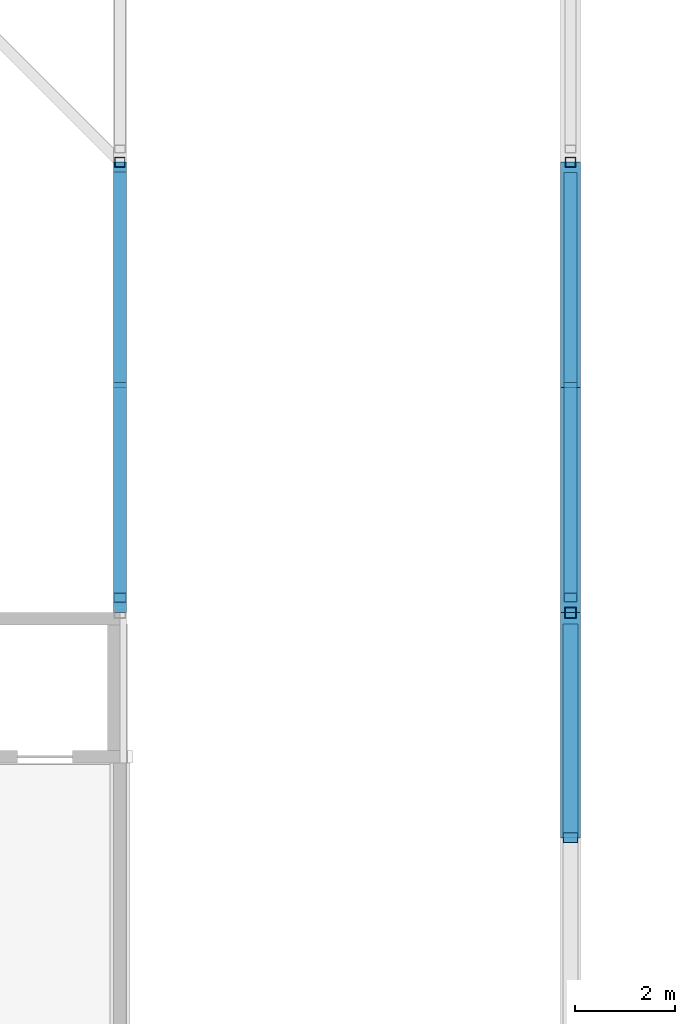
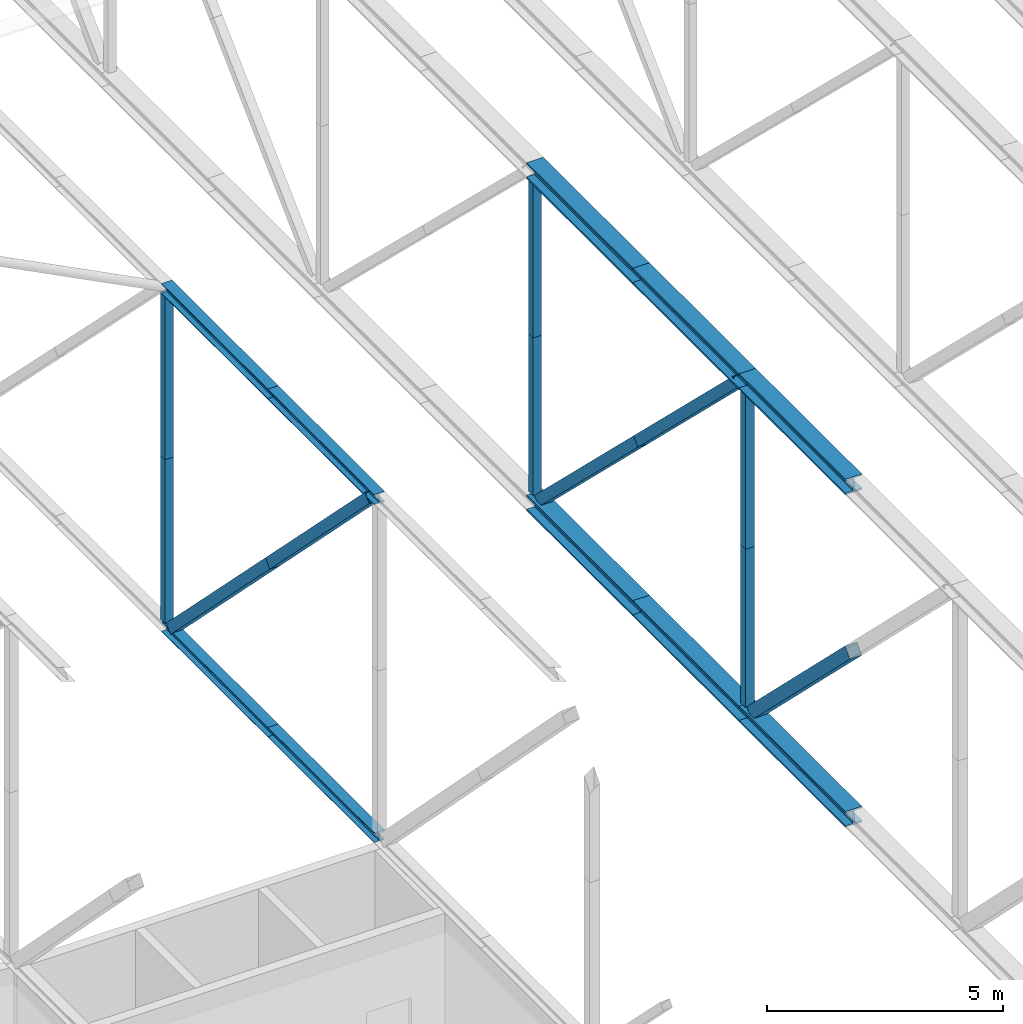
# One storey, part 31 of 646: 21 members.
"""IFC4 building model written with IfcOpenShell, lengths in metres."""

import ifcopenshell
import ifcopenshell.guid

model = None  # the IFC model being written
_history = None  # IfcOwnerHistory: only IFC2X3 demands one
_inside = {}  # id of a spatial element -> (the spatial element, [elements in it])
_under = {}  # id of a project, library or spatial element -> (it, [spatial elements below it])
_declared = {}  # id of a project -> (the project, [libraries it declares])
_typed = {}  # id of a type object -> (the type object, [elements of that type])
_made_of = {}  # id of a material, layer set ... -> (it, [elements and type objects made of it])


def new_model(schema):
    """Start an empty IFC model of exactly this schema.

    Asked for "IFC4X3", IfcOpenShell would pick the latest addendum, in which some entities
    have other attributes; the version numbers below select the first issue.
    IFC2X3 requires an IfcOwnerHistory on every rooted entity: one is made here for all.
    """
    global model, _history
    if schema == "IFC4X3":
        model = ifcopenshell.file(schema_version=(4, 3, 0, 0))
    else:
        model = ifcopenshell.file(schema=schema)
    _inside.clear()
    _under.clear()
    _declared.clear()
    _typed.clear()
    _made_of.clear()
    _history = None
    if model.schema == "IFC2X3":
        org = make("IfcOrganization", Name="unknown")
        user = make(
            "IfcPersonAndOrganization",
            ThePerson=make("IfcPerson", FamilyName="unknown"),
            TheOrganization=org,
        )
        app = make(
            "IfcApplication",
            ApplicationDeveloper=org,
            Version="unknown",
            ApplicationFullName="unknown",
            ApplicationIdentifier="unknown",
        )
        _history = make(
            "IfcOwnerHistory",
            OwningUser=user,
            OwningApplication=app,
            ChangeAction="ADDED",
            CreationDate=0,
        )
    return model


def make(cls, **values):
    """One entity of the class cls with the attributes given. An attribute that is None is left unset."""
    return model.create_entity(
        cls, **{name: value for name, value in values.items() if value is not None}
    )


def rooted(cls, **values):
    """An entity with a GlobalId (a new one), such as an element, a storey or a relation."""
    return make(cls, GlobalId=ifcopenshell.guid.new(), OwnerHistory=_history, **values)


def si_unit(unit_type, name, prefix=None):
    """IfcSIUnit, for example si_unit("LENGTHUNIT", "METRE", prefix="MILLI")."""
    return make("IfcSIUnit", UnitType=unit_type, Prefix=prefix, Name=name)


def assignment(units):
    """IfcUnitAssignment: the units of a project."""
    return None if units is None else make("IfcUnitAssignment", Units=units)


def point(xyz):
    """IfcCartesianPoint."""
    return None if xyz is None else make("IfcCartesianPoint", Coordinates=xyz)


def direction(xyz):
    """IfcDirection."""
    return None if xyz is None else make("IfcDirection", DirectionRatios=xyz)


def frame(location, z_axis=None, x_axis=None):
    """IfcAxis2Placement3D, a coordinate frame: its origin and axes. An axis left out is left unset."""
    return make(
        "IfcAxis2Placement3D",
        Location=point(location),
        Axis=direction(z_axis),
        RefDirection=direction(x_axis),
    )


def frame_2d(location, x_axis=None):
    """IfcAxis2Placement2D, a coordinate frame in the plane: its origin and x axis."""
    return make(
        "IfcAxis2Placement2D", Location=point(location), RefDirection=direction(x_axis)
    )


def origin():
    """The frame at (0, 0, 0) with its axes left unset."""
    return frame((0.0, 0.0, 0.0))


def origin_2d():
    """The frame at (0, 0) in the plane with its x axis left unset."""
    return frame_2d((0.0, 0.0))


def place(relative_to, where):
    """IfcLocalPlacement: puts the frame where relative to a parent placement (None: the world)."""
    return make(
        "IfcLocalPlacement", PlacementRelTo=relative_to, RelativePlacement=where
    )


def context(
    kind, dimensions, precision=None, world=None, true_north=None, identifier=None
):
    """IfcGeometricRepresentationContext, for example the 3D "Model" context."""
    return make(
        "IfcGeometricRepresentationContext",
        ContextIdentifier=identifier,
        ContextType=kind,
        CoordinateSpaceDimension=dimensions,
        Precision=precision,
        WorldCoordinateSystem=world,
        TrueNorth=true_north,
    )


def subcontext(parent, identifier, kind, view, scale=None):
    """IfcGeometricRepresentationSubContext, for example "Body" below "Model"."""
    return make(
        "IfcGeometricRepresentationSubContext",
        ContextIdentifier=identifier,
        ContextType=kind,
        ParentContext=parent,
        TargetScale=scale,
        TargetView=view,
    )


def project(units=None, contexts=None):
    """IfcProject with its units and contexts."""
    return rooted(
        "IfcProject",
        Name="project",
        RepresentationContexts=contexts,
        UnitsInContext=assignment(units),
    )


def spatial(cls, under=None, at=None, **own):
    """A site, building, storey or space (cls), placed at a placement, below another one or the project."""
    s = rooted(cls, ObjectPlacement=at, **own)
    if under is not None:
        _under.setdefault(under.id(), (under, []))[1].append(s)
    return s


def profile(cls, at=None, kind="AREA", **sizes):
    """A parametric profile (cls). Its sizes go by their IFC names, for example OverallWidth=200.0."""
    return make(cls, ProfileType=kind, Position=at, **sizes)


def hollow_rectangle(**sizes):
    """IfcRectangleHollowProfileDef."""
    return profile("IfcRectangleHollowProfileDef", **sizes)


def i_section(**sizes):
    """IfcIShapeProfileDef."""
    return profile("IfcIShapeProfileDef", **sizes)


def extrude(swept, where, along, depth):
    """IfcExtrudedAreaSolid: the profile swept, set in the frame where, extruded along a direction by depth."""
    return make(
        "IfcExtrudedAreaSolid",
        SweptArea=swept,
        Position=where,
        ExtrudedDirection=direction(along),
        Depth=depth,
    )


def shape(context_of_items, identifier, shape_type, items):
    """IfcShapeRepresentation: the items that make up one representation, for example the "Body"."""
    return make(
        "IfcShapeRepresentation",
        ContextOfItems=context_of_items,
        RepresentationIdentifier=identifier,
        RepresentationType=shape_type,
        Items=items,
    )


def material(Name=None, Category=None):
    """IfcMaterial."""
    return make("IfcMaterial", Name=Name, Category=Category)


def material_profile(
    of_material, cross_section, Name=None, Category=None, Priority=None
):
    """IfcMaterialProfile: a cross section and its material."""
    return make(
        "IfcMaterialProfile",
        Name=Name,
        Material=of_material,
        Profile=cross_section,
        Priority=Priority,
        Category=Category,
    )


def profile_set(profiles, Name=None, composite=None):
    """IfcMaterialProfileSet."""
    return make(
        "IfcMaterialProfileSet",
        Name=Name,
        MaterialProfiles=profiles,
        CompositeProfile=composite,
    )


def made_of(thing, what):
    """Note that an element or type object is made of a material, layer set ...; save() writes the relation."""
    if what is not None:
        _made_of.setdefault(what.id(), (what, []))[1].append(thing)
    return thing


def type_object(cls, material=None, **own):
    """A type object (cls), such as IfcWallType, which elements share."""
    return made_of(rooted(cls, **own), material)


def element(
    cls,
    number,
    at=None,
    inside=None,
    cuts=None,
    type_object=None,
    material=None,
    context=None,
    identifier="Body",
    shape_type=None,
    held_by="IfcProductDefinitionShape",
    body=None,
    shapes=None,
    **own,
):
    """One element of the class cls, such as IfcWall. Its Tag is "e" and its number.

    at: its placement. inside: the storey or other place that contains it. cuts: it is an
    opening in that element (IfcRelVoidsElement). A single representation is given by context,
    identifier, shape_type and body (its items); several are given by shapes. held_by: the class
    of the entity that holds the representations. save() writes the other relations.
    """
    e = rooted(cls, Tag="e%d" % number, ObjectPlacement=at, **own)
    if body is not None:
        shapes = [shape(context, identifier, shape_type, body)]
    if shapes is not None:
        e.Representation = make(held_by, Representations=shapes)
    if inside is not None:
        _inside.setdefault(inside.id(), (inside, []))[1].append(e)
    if cuts is not None:
        rooted(
            "IfcRelVoidsElement", RelatingBuildingElement=cuts, RelatedOpeningElement=e
        )
    if type_object is not None:
        _typed.setdefault(type_object.id(), (type_object, []))[1].append(e)
    return made_of(e, material)


def aggregate(whole, parts):
    """IfcRelAggregates: a whole, such as a stair, and the parts it consists of."""
    return rooted("IfcRelAggregates", RelatingObject=whole, RelatedObjects=parts)


def save(model, path):
    """Write the relations noted so far, then the file.

    IfcRelAggregates (storeys below a building ...), IfcRelContainedInSpatialStructure (elements
    in a storey), IfcRelDefinesByType, IfcRelAssociatesMaterial and IfcRelDeclares: one each for
    every whole, place, type object, material and project.
    """
    for whole, parts in _under.values():
        aggregate(whole, parts)
    for where, things in _inside.values():
        rooted(
            "IfcRelContainedInSpatialStructure",
            RelatedElements=things,
            RelatingStructure=where,
        )
    for kind, things in _typed.values():
        rooted("IfcRelDefinesByType", RelatedObjects=things, RelatingType=kind)
    for what, things in _made_of.values():
        rooted("IfcRelAssociatesMaterial", RelatedObjects=things, RelatingMaterial=what)
    for by, libraries in _declared.values():
        rooted("IfcRelDeclares", RelatingContext=by, RelatedDefinitions=libraries)
    model.write(path)


model = new_model("IFC4")

# Units and contexts
model_context = context("Model", 3, precision=1e-05, world=origin(), true_north=direction((0.0, 1.0)))
body_context = subcontext(model_context, "Body", "Model", "MODEL_VIEW")
ifc_project = project(units=[si_unit("LENGTHUNIT", "METRE"), si_unit("AREAUNIT", "SQUARE_METRE"), si_unit("VOLUMEUNIT", "CUBIC_METRE"), si_unit("PLANEANGLEUNIT", "RADIAN"), si_unit("MASSUNIT", "GRAM", prefix="KILO")], contexts=[model_context])

# Site, building, storey
site_placement = place(None, origin())
site = spatial("IfcSite", under=ifc_project, at=site_placement, CompositionType="ELEMENT")
building_placement = place(site_placement, origin())
building = spatial("IfcBuilding", under=site, at=building_placement, Name="Silverbay Arena", CompositionType="ELEMENT")
storey_placement = place(building_placement, frame((0.0, 0.0, 33.5)))
storey = spatial("IfcBuildingStorey", under=building, at=storey_placement, Name="L05", CompositionType="ELEMENT", Elevation=33.5)

# Members
ifc_material_1 = material(Name="Steel S355", Category="steel")
ifc_material_profile_1 = material_profile(ifc_material_1, i_section(OverallWidth=0.403076171875, OverallDepth=0.406494140625, WebThickness=0.026611328125, FlangeThickness=0.04296875, at=origin_2d()), Name="UC 356x406x340")
ifc_profile_set_1 = profile_set([ifc_material_profile_1], Name="Steel S355")
member_type_1 = type_object("IfcMemberType", Name="Main-span bottom chord UC 356x406x340", PredefinedType="CHORD", material=ifc_profile_set_1)
for number, where, z_axis, x_axis, name in (
    (1, (108.0, 58.5, 4.203125), (0.0, 1.0, 0.0), (-1.0, 0.0, 0.0), "ROOF TRUSS 13 bottom chord 06b"),
    (2, (108.0, 63.0, 4.203125), (0.0, 1.0, 0.0), (-1.0, 0.0, 0.0), "ROOF TRUSS 13 bottom chord 07a"),
    (3, (108.0, 67.5, 4.203125), (0.0, 1.0, 0.0), (-1.0, 0.0, 0.0), "ROOF TRUSS 13 bottom chord 07b"),
):
    element("IfcMember", number, at=place(storey_placement, frame(where, z_axis=z_axis, x_axis=x_axis)), inside=storey, type_object=member_type_1, Name=name, PredefinedType="CHORD", context=body_context, shape_type="SweptSolid", body=[
        extrude(i_section(OverallWidth=0.403076171875, OverallDepth=0.406494140625, WebThickness=0.026611328125, FlangeThickness=0.04296875, at=origin_2d()), origin(), (0.0, 0.0, 1.0), 4.5),
    ])
ifc_material_2 = material(Name="Steel S355", Category="steel")
ifc_material_profile_2 = material_profile(ifc_material_2, i_section(OverallWidth=0.403076171875, OverallDepth=0.406494140625, WebThickness=0.026611328125, FlangeThickness=0.04296875, at=origin_2d()), Name="UC 356x406x340")
ifc_profile_set_2 = profile_set([ifc_material_profile_2], Name="Steel S355")
member_type_2 = type_object("IfcMemberType", Name="Main-span top chord UC 356x406x340", PredefinedType="CHORD", material=ifc_profile_set_2)
member_1_placement = place(storey_placement, frame((108.0, 58.5, 12.796875), z_axis=(0.0, 1.0, 0.0), x_axis=(-1.0, 0.0, 0.0)))
element("IfcMember", 4, at=member_1_placement, inside=storey, type_object=member_type_2, Name="ROOF TRUSS 13 top chord 06b", PredefinedType="CHORD", context=body_context, shape_type="SweptSolid", body=[
    extrude(i_section(OverallWidth=0.403076171875, OverallDepth=0.406494140625, WebThickness=0.026611328125, FlangeThickness=0.04296875, at=origin_2d()), origin(), (0.0, 0.0, 1.0), 4.5),
])
ifc_material_3 = material(Name="Steel S355", Category="steel")
ifc_material_profile_3 = material_profile(ifc_material_3, i_section(OverallWidth=0.406982421875, OverallDepth=0.4189453125, WebThickness=0.030517578125, FlangeThickness=0.04931640625, at=origin_2d()), Name="UC 356x406x393")
ifc_profile_set_3 = profile_set([ifc_material_profile_3], Name="Steel S355")
member_type_3 = type_object("IfcMemberType", Name="Main-span top chord UC 356x406x393", PredefinedType="CHORD", material=ifc_profile_set_3)
for number, where, z_axis, x_axis, name in (
    (5, (108.0, 63.0, 12.79052734375), (0.0, 1.0, 0.0), (-1.0, 0.0, 0.0), "ROOF TRUSS 13 top chord 07a"),
    (6, (108.0, 67.5, 12.79052734375), (0.0, 1.0, 0.0), (-1.0, 0.0, 0.0), "ROOF TRUSS 13 top chord 07b"),
):
    element("IfcMember", number, at=place(storey_placement, frame(where, z_axis=z_axis, x_axis=x_axis)), inside=storey, type_object=member_type_3, Name=name, PredefinedType="CHORD", context=body_context, shape_type="SweptSolid", body=[
        extrude(i_section(OverallWidth=0.406982421875, OverallDepth=0.4189453125, WebThickness=0.030517578125, FlangeThickness=0.04931640625, at=origin_2d()), origin(), (0.0, 0.0, 1.0), 4.5),
    ])
ifc_material_4 = material(Name="Steel S355", Category="steel")
ifc_material_profile_4 = material_profile(ifc_material_4, hollow_rectangle(XDim=0.260009765625, YDim=0.260009765625, WallThickness=0.012451171875, at=origin_2d()), Name="SHS 260x260x12.5")
ifc_profile_set_4 = profile_set([ifc_material_profile_4], Name="Steel S355")
member_type_4 = type_object("IfcMemberType", Name="Main-span truss diagonal SHS 260x260x12.5", PredefinedType="BRACE", material=ifc_profile_set_4)
for number, where, z_axis, x_axis, name in (
    (7, (108.0, 63.303466796875, 12.5810546875), (0.0, 0.716765314206, -0.697314480239), (-1.0, 0.0, 0.0), "ROOF TRUSS 13 diagonal 07a"),
    (8, (108.0, 67.5048828125, 8.49365234375), (0.0, 0.716806382858, -0.697272263534), (-1.0, 0.0, 0.0), "ROOF TRUSS 13 diagonal 07b"),
):
    element("IfcMember", number, at=place(storey_placement, frame(where, z_axis=z_axis, x_axis=x_axis)), inside=storey, type_object=member_type_4, Name=name, PredefinedType="BRACE", context=body_context, shape_type="SweptSolid", body=[
        extrude(hollow_rectangle(XDim=0.260009765625, YDim=0.260009765625, WallThickness=0.012451171875, at=origin_2d()), origin(), (0.0, 0.0, 1.0), 5.861572265625),
    ])
ifc_material_5 = material(Name="Steel S355", Category="steel")
ifc_material_profile_5 = material_profile(ifc_material_5, hollow_rectangle(XDim=0.300048828125, YDim=0.300048828125, WallThickness=0.012451171875, at=origin_2d()), Name="SHS 300x300x12.5")
ifc_profile_set_5 = profile_set([ifc_material_profile_5], Name="Steel S355")
member_type_5 = type_object("IfcMemberType", Name="Main-span truss diagonal SHS 300x300x12.5", PredefinedType="BRACE", material=ifc_profile_set_5)
member_2_placement = place(storey_placement, frame((108.0, 58.507568359375, 8.5), z_axis=(0.0, 0.71273186468, -0.701436589487), x_axis=(-1.0, 0.0, 0.0)))
element("IfcMember", 9, at=member_2_placement, inside=storey, type_object=member_type_5, Name="ROOF TRUSS 13 diagonal 06b", PredefinedType="BRACE", context=body_context, shape_type="SweptSolid", body=[
    extrude(hollow_rectangle(XDim=0.300048828125, YDim=0.300048828125, WallThickness=0.012451171875, at=origin_2d()), origin(), (0.0, 0.0, 1.0), 5.8359375),
])
ifc_material_6 = material(Name="Steel S355", Category="steel")
ifc_material_profile_6 = material_profile(ifc_material_6, hollow_rectangle(XDim=0.199951171875, YDim=0.199951171875, WallThickness=0.008056640625, at=origin_2d()), Name="SHS 200x200x8")
ifc_profile_set_6 = profile_set([ifc_material_profile_6], Name="Steel S355")
member_type_6 = type_object("IfcMemberType", Name="Main-span truss vertical SHS 200x200x8", PredefinedType="STRUT", material=ifc_profile_set_6)
member_3_placement = place(storey_placement, frame((108.0, 72.0, 4.406494140625), z_axis=(0.0, 0.0, 1.0), x_axis=(1.0, 0.0, 0.0)))
element("IfcMember", 10, at=member_3_placement, inside=storey, type_object=member_type_6, Name="ROOF TRUSS 13 vertical 08a", PredefinedType="STRUT", context=body_context, shape_type="SweptSolid", body=[
    extrude(hollow_rectangle(XDim=0.199951171875, YDim=0.199951171875, WallThickness=0.008056640625, at=origin_2d()), origin(), (0.0, 0.0, 1.0), 4.087158203125),
])
member_4_placement = place(storey_placement, frame((108.0, 72.0, 8.49365234375), z_axis=(0.0, 0.0, 1.0), x_axis=(1.0, 0.0, 0.0)))
element("IfcMember", 11, at=member_4_placement, inside=storey, type_object=member_type_6, Name="ROOF TRUSS 13 vertical 08b", PredefinedType="STRUT", context=body_context, shape_type="SweptSolid", body=[
    extrude(hollow_rectangle(XDim=0.199951171875, YDim=0.199951171875, WallThickness=0.008056640625, at=origin_2d()), origin(), (0.0, 0.0, 1.0), 4.08740234375),
])
ifc_material_7 = material(Name="Steel S355", Category="steel")
ifc_material_profile_7 = material_profile(ifc_material_7, hollow_rectangle(XDim=0.219970703125, YDim=0.219970703125, WallThickness=0.008056640625, at=origin_2d()), Name="SHS 220x220x8")
ifc_profile_set_7 = profile_set([ifc_material_profile_7], Name="Steel S355")
member_type_7 = type_object("IfcMemberType", Name="Main-span truss vertical SHS 220x220x8", PredefinedType="STRUT", material=ifc_profile_set_7)
member_5_placement = place(storey_placement, frame((108.0, 63.0, 4.406494140625), z_axis=(0.0, 0.0, 1.0), x_axis=(1.0, 0.0, 0.0)))
element("IfcMember", 12, at=member_5_placement, inside=storey, type_object=member_type_7, Name="ROOF TRUSS 13 vertical 07a", PredefinedType="STRUT", context=body_context, shape_type="SweptSolid", body=[
    extrude(hollow_rectangle(XDim=0.219970703125, YDim=0.219970703125, WallThickness=0.008056640625, at=origin_2d()), origin(), (0.0, 0.0, 1.0), 4.087158203125),
])
member_6_placement = place(storey_placement, frame((108.0, 63.0, 8.49365234375), z_axis=(0.0, 0.0, 1.0), x_axis=(1.0, 0.0, 0.0)))
element("IfcMember", 13, at=member_6_placement, inside=storey, type_object=member_type_7, Name="ROOF TRUSS 13 vertical 07b", PredefinedType="STRUT", context=body_context, shape_type="SweptSolid", body=[
    extrude(hollow_rectangle(XDim=0.219970703125, YDim=0.219970703125, WallThickness=0.008056640625, at=origin_2d()), origin(), (0.0, 0.0, 1.0), 4.08740234375),
])
ifc_material_8 = material(Name="Steel S355", Category="steel")
ifc_material_profile_8 = material_profile(ifc_material_8, i_section(OverallWidth=0.254638671875, OverallDepth=0.254150390625, WebThickness=0.008544921875, FlangeThickness=0.01416015625, at=origin_2d()), Name="UC 254x254x73")
ifc_profile_set_8 = profile_set([ifc_material_profile_8], Name="Steel S355")
member_type_8 = type_object("IfcMemberType", Name="Medium-span bottom chord UC 254x254x73", PredefinedType="CHORD", material=ifc_profile_set_8)
for number, where, z_axis, x_axis, name in (
    (14, (99.0, 63.0, 4.126953125), (0.0, 1.0, 0.0), (-1.0, 0.0, 0.0), "ROOF TRUSS 12 bottom chord 07a"),
    (15, (99.0, 67.5, 4.126953125), (0.0, 1.0, 0.0), (-1.0, 0.0, 0.0), "ROOF TRUSS 12 bottom chord 07b"),
):
    element("IfcMember", number, at=place(storey_placement, frame(where, z_axis=z_axis, x_axis=x_axis)), inside=storey, type_object=member_type_8, Name=name, PredefinedType="CHORD", context=body_context, shape_type="SweptSolid", body=[
        extrude(i_section(OverallWidth=0.254638671875, OverallDepth=0.254150390625, WebThickness=0.008544921875, FlangeThickness=0.01416015625, at=origin_2d()), origin(), (0.0, 0.0, 1.0), 4.5),
    ])
ifc_material_9 = material(Name="Steel S355", Category="steel")
ifc_material_profile_9 = material_profile(ifc_material_9, i_section(OverallWidth=0.2587890625, OverallDepth=0.2666015625, WebThickness=0.0126953125, FlangeThickness=0.0205078125, at=origin_2d()), Name="UC 254x254x107")
ifc_profile_set_9 = profile_set([ifc_material_profile_9], Name="Steel S355")
member_type_9 = type_object("IfcMemberType", Name="Medium-span top chord UC 254x254x107", PredefinedType="CHORD", material=ifc_profile_set_9)
for number, where, z_axis, x_axis, name in (
    (16, (99.0, 63.0, 12.86669921875), (0.0, 1.0, 0.0), (-1.0, 0.0, 0.0), "ROOF TRUSS 12 top chord 07a"),
    (17, (99.0, 67.5, 12.86669921875), (0.0, 1.0, 0.0), (-1.0, 0.0, 0.0), "ROOF TRUSS 12 top chord 07b"),
):
    element("IfcMember", number, at=place(storey_placement, frame(where, z_axis=z_axis, x_axis=x_axis)), inside=storey, type_object=member_type_9, Name=name, PredefinedType="CHORD", context=body_context, shape_type="SweptSolid", body=[
        extrude(i_section(OverallWidth=0.2587890625, OverallDepth=0.2666015625, WebThickness=0.0126953125, FlangeThickness=0.0205078125, at=origin_2d()), origin(), (0.0, 0.0, 1.0), 4.5),
    ])
ifc_material_10 = material(Name="Steel S355", Category="steel")
ifc_material_profile_10 = material_profile(ifc_material_10, hollow_rectangle(XDim=0.260009765625, YDim=0.260009765625, WallThickness=0.010009765625, at=origin_2d()), Name="SHS 260x260x10")
ifc_profile_set_10 = profile_set([ifc_material_profile_10], Name="Steel S355")
member_type_10 = type_object("IfcMemberType", Name="Medium-span truss diagonal SHS 260x260x10", PredefinedType="BRACE", material=ifc_profile_set_10)
for number, where, z_axis, x_axis, name in (
    (18, (99.0, 63.299560546875, 12.7333984375), (0.0, 0.704218618707, -0.709983194918), (-1.0, 0.0, 0.0), "ROOF TRUSS 12 diagonal 07a"),
    (19, (99.0, 67.5048828125, 8.49365234375), (0.0, 0.704259667026, -0.709942477529), (-1.0, 0.0, 0.0), "ROOF TRUSS 12 diagonal 07b"),
):
    element("IfcMember", number, at=place(storey_placement, frame(where, z_axis=z_axis, x_axis=x_axis)), inside=storey, type_object=member_type_10, Name=name, PredefinedType="BRACE", context=body_context, shape_type="SweptSolid", body=[
        extrude(hollow_rectangle(XDim=0.260009765625, YDim=0.260009765625, WallThickness=0.010009765625, at=origin_2d()), origin(), (0.0, 0.0, 1.0), 5.9716796875),
    ])
ifc_material_11 = material(Name="Steel S355", Category="steel")
ifc_material_profile_11 = material_profile(ifc_material_11, hollow_rectangle(XDim=0.199951171875, YDim=0.199951171875, WallThickness=0.008056640625, at=origin_2d()), Name="SHS 200x200x8")
ifc_profile_set_11 = profile_set([ifc_material_profile_11], Name="Steel S355")
member_type_11 = type_object("IfcMemberType", Name="Medium-span truss vertical SHS 200x200x8", PredefinedType="STRUT", material=ifc_profile_set_11)
member_7_placement = place(storey_placement, frame((99.0, 72.0, 4.254150390625), z_axis=(0.0, 0.0, 1.0), x_axis=(1.0, 0.0, 0.0)))
element("IfcMember", 20, at=member_7_placement, inside=storey, type_object=member_type_11, Name="ROOF TRUSS 12 vertical 08a", PredefinedType="STRUT", context=body_context, shape_type="SweptSolid", body=[
    extrude(hollow_rectangle(XDim=0.199951171875, YDim=0.199951171875, WallThickness=0.008056640625, at=origin_2d()), origin(), (0.0, 0.0, 1.0), 4.239501953125),
])
member_8_placement = place(storey_placement, frame((99.0, 72.0, 8.49365234375), z_axis=(0.0, 0.0, 1.0), x_axis=(1.0, 0.0, 0.0)))
element("IfcMember", 21, at=member_8_placement, inside=storey, type_object=member_type_11, Name="ROOF TRUSS 12 vertical 08b", PredefinedType="STRUT", context=body_context, shape_type="SweptSolid", body=[
    extrude(hollow_rectangle(XDim=0.199951171875, YDim=0.199951171875, WallThickness=0.008056640625, at=origin_2d()), origin(), (0.0, 0.0, 1.0), 4.23974609375),
])

save(model, "model.ifc")
